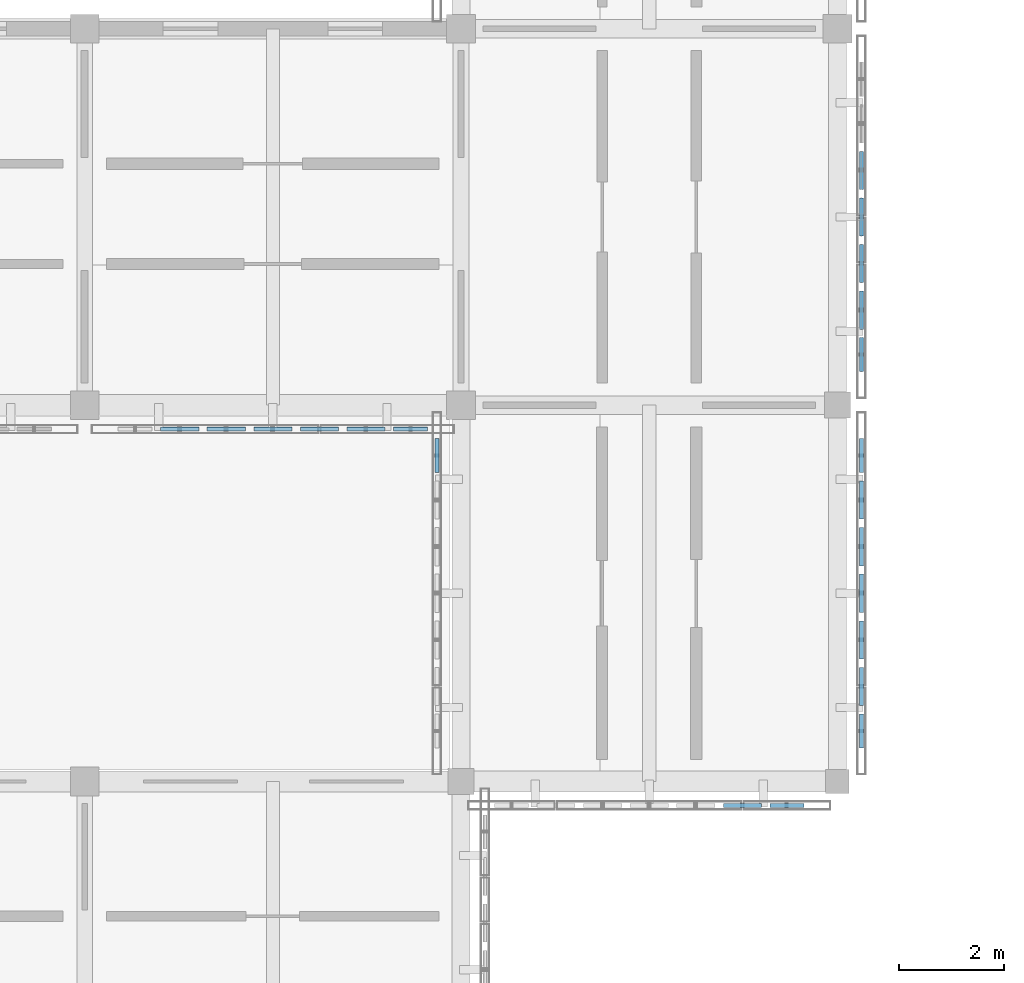
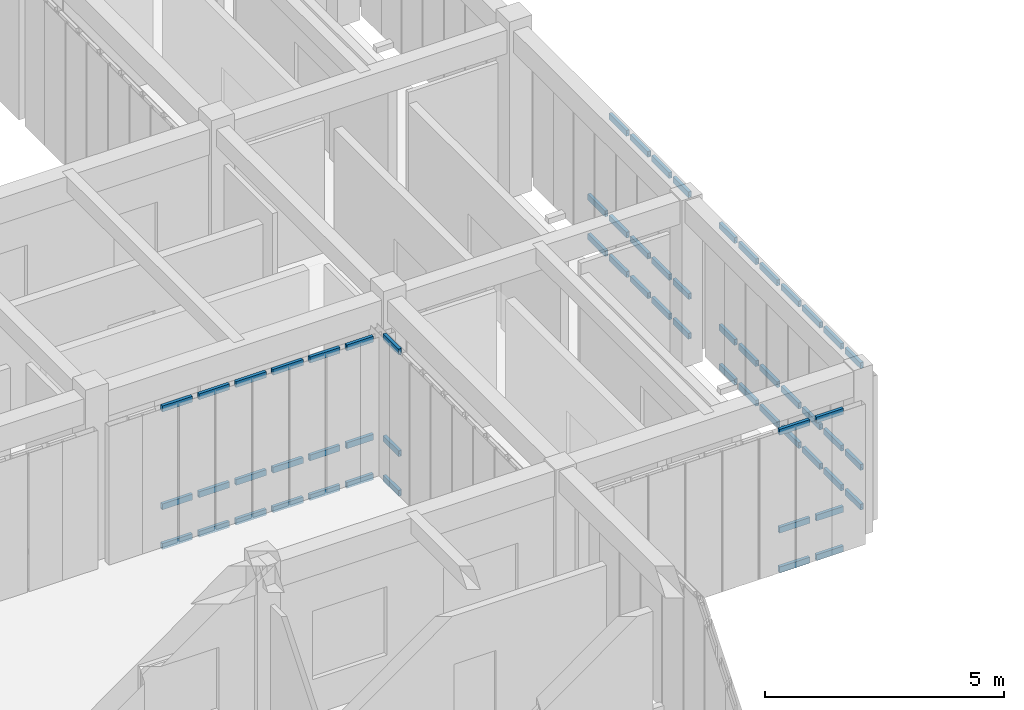
# One storey, part 24 of 91: 62 members, 5 elements without a shape of their own.
"""IFC4 building model written with IfcOpenShell, lengths in metres."""

from ifc_helpers import new_model, si_unit, direction, frame, origin, origin_2d, place, context, subcontext, project, spatial, hollow_rectangle, extrude, material, material_profile, profile_set, type_object, element, aggregate, save


model = new_model("IFC4")

# Units and contexts
model_context = context("Model", 3, precision=1e-05, world=origin(), true_north=direction((0.0, 1.0)))
body_context = subcontext(model_context, "Body", "Model", "MODEL_VIEW")
ifc_project = project(units=[si_unit("LENGTHUNIT", "METRE"), si_unit("AREAUNIT", "SQUARE_METRE"), si_unit("VOLUMEUNIT", "CUBIC_METRE"), si_unit("PLANEANGLEUNIT", "RADIAN"), si_unit("MASSUNIT", "GRAM", prefix="KILO")], contexts=[model_context])

# Site, building, storey
site_placement = place(None, origin())
site = spatial("IfcSite", under=ifc_project, at=site_placement, CompositionType="ELEMENT")
building_placement = place(site_placement, origin())
building = spatial("IfcBuilding", under=site, at=building_placement, Name="Aldebral Square Health Centre", CompositionType="ELEMENT")
storey_placement = place(building_placement, frame((0.0, 0.0, 9.0)))
storey = spatial("IfcBuildingStorey", under=building, at=storey_placement, Name="L02", CompositionType="ELEMENT", Elevation=9.0)

# Curtain wall, members
ifc_material_1 = material(Name="Aluminium and low-E solar glass", Category="aluminium")
curtain_wall_type = type_object("IfcCurtainWallType", Name="CW-FIN-SYS", PredefinedType="USERDEFINED", material=ifc_material_1)
curtain_wall_1_placement = place(storey_placement, origin())
curtain_wall_1 = element("IfcCurtainWall", 1, at=curtain_wall_1_placement, inside=storey, type_object=curtain_wall_type, Name="L02 V4 finned curtain wall L02-V4-02-08-S", ObjectType="SOLAR_CURTAIN_WALL", PredefinedType="USERDEFINED")
ifc_material_2 = material(Name="Anodised aluminium transom", Category="aluminium")
ifc_material_profile = material_profile(ifc_material_2, hollow_rectangle(XDim=0.074951171875, YDim=0.14990234375, WallThickness=0.00390625, at=origin_2d()), Name="CWT 75x150x4")
ifc_profile_set = profile_set([ifc_material_profile], Name="Anodised aluminium transom")
member_type = type_object("IfcMemberType", Name="CWT-STD", PredefinedType="USERDEFINED", material=ifc_profile_set)
member_1_placement = place(storey_placement, frame((15.851318359375, 57.139892578125, 0.03759765625), z_axis=(1.0, 0.0, 0.0), x_axis=(0.0, 1.0, 0.0)))
member_1 = element("IfcMember", 2, at=member_1_placement, type_object=member_type, Name="CW1 transom 2.1", ObjectType="TRANSOM", PredefinedType="USERDEFINED", context=body_context, shape_type="SweptSolid", body=[
    extrude(hollow_rectangle(XDim=0.074951171875, YDim=0.14990234375, WallThickness=0.00390625, at=origin_2d()), origin(), (0.0, 0.0, 1.0), 0.7314453125),
])
member_2_placement = place(storey_placement, frame((15.851318359375, 57.139892578125, 1.050048828125), z_axis=(1.0, 0.0, 0.0), x_axis=(0.0, 1.0, 0.0)))
member_2 = element("IfcMember", 3, at=member_2_placement, type_object=member_type, Name="CW1 transom 2.2", ObjectType="TRANSOM", PredefinedType="USERDEFINED", context=body_context, shape_type="SweptSolid", body=[
    extrude(hollow_rectangle(XDim=0.074951171875, YDim=0.14990234375, WallThickness=0.00390625, at=origin_2d()), origin(), (0.0, 0.0, 1.0), 0.7314453125),
])
member_3_placement = place(storey_placement, frame((15.851318359375, 57.139892578125, 3.552490234375), z_axis=(1.0, 0.0, 0.0), x_axis=(0.0, 1.0, 0.0)))
member_3 = element("IfcMember", 4, at=member_3_placement, type_object=member_type, Name="CW1 transom 2.3", ObjectType="TRANSOM", PredefinedType="USERDEFINED", context=body_context, shape_type="SweptSolid", body=[
    extrude(hollow_rectangle(XDim=0.074951171875, YDim=0.14990234375, WallThickness=0.00390625, at=origin_2d()), origin(), (0.0, 0.0, 1.0), 0.7314453125),
])
member_4_placement = place(storey_placement, frame((16.742919921875, 57.139892578125, 0.03759765625), z_axis=(1.0, 0.0, 0.0), x_axis=(0.0, 1.0, 0.0)))
member_4 = element("IfcMember", 5, at=member_4_placement, type_object=member_type, Name="CW1 transom 3.1", ObjectType="TRANSOM", PredefinedType="USERDEFINED", context=body_context, shape_type="SweptSolid", body=[
    extrude(hollow_rectangle(XDim=0.074951171875, YDim=0.14990234375, WallThickness=0.00390625, at=origin_2d()), origin(), (0.0, 0.0, 1.0), 0.7314453125),
])
member_5_placement = place(storey_placement, frame((16.742919921875, 57.139892578125, 1.050048828125), z_axis=(1.0, 0.0, 0.0), x_axis=(0.0, 1.0, 0.0)))
member_5 = element("IfcMember", 6, at=member_5_placement, type_object=member_type, Name="CW1 transom 3.2", ObjectType="TRANSOM", PredefinedType="USERDEFINED", context=body_context, shape_type="SweptSolid", body=[
    extrude(hollow_rectangle(XDim=0.074951171875, YDim=0.14990234375, WallThickness=0.00390625, at=origin_2d()), origin(), (0.0, 0.0, 1.0), 0.7314453125),
])
member_6_placement = place(storey_placement, frame((16.742919921875, 57.139892578125, 3.552490234375), z_axis=(1.0, 0.0, 0.0), x_axis=(0.0, 1.0, 0.0)))
member_6 = element("IfcMember", 7, at=member_6_placement, type_object=member_type, Name="CW1 transom 3.3", ObjectType="TRANSOM", PredefinedType="USERDEFINED", context=body_context, shape_type="SweptSolid", body=[
    extrude(hollow_rectangle(XDim=0.074951171875, YDim=0.14990234375, WallThickness=0.00390625, at=origin_2d()), origin(), (0.0, 0.0, 1.0), 0.7314453125),
])
member_7_placement = place(storey_placement, frame((17.63427734375, 57.139892578125, 0.03759765625), z_axis=(1.0, 0.0, 0.0), x_axis=(0.0, 1.0, 0.0)))
member_7 = element("IfcMember", 8, at=member_7_placement, type_object=member_type, Name="CW1 transom 4.1", ObjectType="TRANSOM", PredefinedType="USERDEFINED", context=body_context, shape_type="SweptSolid", body=[
    extrude(hollow_rectangle(XDim=0.074951171875, YDim=0.14990234375, WallThickness=0.00390625, at=origin_2d()), origin(), (0.0, 0.0, 1.0), 0.7314453125),
])
member_8_placement = place(storey_placement, frame((17.63427734375, 57.139892578125, 1.050048828125), z_axis=(1.0, 0.0, 0.0), x_axis=(0.0, 1.0, 0.0)))
member_8 = element("IfcMember", 9, at=member_8_placement, type_object=member_type, Name="CW1 transom 4.2", ObjectType="TRANSOM", PredefinedType="USERDEFINED", context=body_context, shape_type="SweptSolid", body=[
    extrude(hollow_rectangle(XDim=0.074951171875, YDim=0.14990234375, WallThickness=0.00390625, at=origin_2d()), origin(), (0.0, 0.0, 1.0), 0.7314453125),
])
member_9_placement = place(storey_placement, frame((17.63427734375, 57.139892578125, 3.552490234375), z_axis=(1.0, 0.0, 0.0), x_axis=(0.0, 1.0, 0.0)))
member_9 = element("IfcMember", 10, at=member_9_placement, type_object=member_type, Name="CW1 transom 4.3", ObjectType="TRANSOM", PredefinedType="USERDEFINED", context=body_context, shape_type="SweptSolid", body=[
    extrude(hollow_rectangle(XDim=0.074951171875, YDim=0.14990234375, WallThickness=0.00390625, at=origin_2d()), origin(), (0.0, 0.0, 1.0), 0.7314453125),
])
member_10_placement = place(storey_placement, frame((18.525634765625, 57.139892578125, 0.03759765625), z_axis=(1.0, 0.0, 0.0), x_axis=(0.0, 1.0, 0.0)))
member_10 = element("IfcMember", 11, at=member_10_placement, type_object=member_type, Name="CW1 transom 5.1", ObjectType="TRANSOM", PredefinedType="USERDEFINED", context=body_context, shape_type="SweptSolid", body=[
    extrude(hollow_rectangle(XDim=0.074951171875, YDim=0.14990234375, WallThickness=0.00390625, at=origin_2d()), origin(), (0.0, 0.0, 1.0), 0.7314453125),
])
member_11_placement = place(storey_placement, frame((18.525634765625, 57.139892578125, 1.050048828125), z_axis=(1.0, 0.0, 0.0), x_axis=(0.0, 1.0, 0.0)))
member_11 = element("IfcMember", 12, at=member_11_placement, type_object=member_type, Name="CW1 transom 5.2", ObjectType="TRANSOM", PredefinedType="USERDEFINED", context=body_context, shape_type="SweptSolid", body=[
    extrude(hollow_rectangle(XDim=0.074951171875, YDim=0.14990234375, WallThickness=0.00390625, at=origin_2d()), origin(), (0.0, 0.0, 1.0), 0.7314453125),
])
member_12_placement = place(storey_placement, frame((18.525634765625, 57.139892578125, 3.552490234375), z_axis=(1.0, 0.0, 0.0), x_axis=(0.0, 1.0, 0.0)))
member_12 = element("IfcMember", 13, at=member_12_placement, type_object=member_type, Name="CW1 transom 5.3", ObjectType="TRANSOM", PredefinedType="USERDEFINED", context=body_context, shape_type="SweptSolid", body=[
    extrude(hollow_rectangle(XDim=0.074951171875, YDim=0.14990234375, WallThickness=0.00390625, at=origin_2d()), origin(), (0.0, 0.0, 1.0), 0.7314453125),
])
member_13_placement = place(storey_placement, frame((19.417236328125, 57.139892578125, 0.03759765625), z_axis=(1.0, 0.0, 0.0), x_axis=(0.0, 1.0, 0.0)))
member_13 = element("IfcMember", 14, at=member_13_placement, type_object=member_type, Name="CW1 transom 6.1", ObjectType="TRANSOM", PredefinedType="USERDEFINED", context=body_context, shape_type="SweptSolid", body=[
    extrude(hollow_rectangle(XDim=0.074951171875, YDim=0.14990234375, WallThickness=0.00390625, at=origin_2d()), origin(), (0.0, 0.0, 1.0), 0.7314453125),
])
member_14_placement = place(storey_placement, frame((19.417236328125, 57.139892578125, 1.050048828125), z_axis=(1.0, 0.0, 0.0), x_axis=(0.0, 1.0, 0.0)))
member_14 = element("IfcMember", 15, at=member_14_placement, type_object=member_type, Name="CW1 transom 6.2", ObjectType="TRANSOM", PredefinedType="USERDEFINED", context=body_context, shape_type="SweptSolid", body=[
    extrude(hollow_rectangle(XDim=0.074951171875, YDim=0.14990234375, WallThickness=0.00390625, at=origin_2d()), origin(), (0.0, 0.0, 1.0), 0.7314453125),
])
member_15_placement = place(storey_placement, frame((19.417236328125, 57.139892578125, 3.552490234375), z_axis=(1.0, 0.0, 0.0), x_axis=(0.0, 1.0, 0.0)))
member_15 = element("IfcMember", 16, at=member_15_placement, type_object=member_type, Name="CW1 transom 6.3", ObjectType="TRANSOM", PredefinedType="USERDEFINED", context=body_context, shape_type="SweptSolid", body=[
    extrude(hollow_rectangle(XDim=0.074951171875, YDim=0.14990234375, WallThickness=0.00390625, at=origin_2d()), origin(), (0.0, 0.0, 1.0), 0.7314453125),
])
member_16_placement = place(storey_placement, frame((20.30859375, 57.139892578125, 0.03759765625), z_axis=(1.0, 0.0, 0.0), x_axis=(0.0, 1.0, 0.0)))
member_16 = element("IfcMember", 17, at=member_16_placement, type_object=member_type, Name="CW1 transom 7.1", ObjectType="TRANSOM", PredefinedType="USERDEFINED", context=body_context, shape_type="SweptSolid", body=[
    extrude(hollow_rectangle(XDim=0.074951171875, YDim=0.14990234375, WallThickness=0.00390625, at=origin_2d()), origin(), (0.0, 0.0, 1.0), 0.6513671875),
])
member_17_placement = place(storey_placement, frame((20.30859375, 57.139892578125, 1.050048828125), z_axis=(1.0, 0.0, 0.0), x_axis=(0.0, 1.0, 0.0)))
member_17 = element("IfcMember", 18, at=member_17_placement, type_object=member_type, Name="CW1 transom 7.2", ObjectType="TRANSOM", PredefinedType="USERDEFINED", context=body_context, shape_type="SweptSolid", body=[
    extrude(hollow_rectangle(XDim=0.074951171875, YDim=0.14990234375, WallThickness=0.00390625, at=origin_2d()), origin(), (0.0, 0.0, 1.0), 0.6513671875),
])
member_18_placement = place(storey_placement, frame((20.30859375, 57.139892578125, 3.552490234375), z_axis=(1.0, 0.0, 0.0), x_axis=(0.0, 1.0, 0.0)))
member_18 = element("IfcMember", 19, at=member_18_placement, type_object=member_type, Name="CW1 transom 7.3", ObjectType="TRANSOM", PredefinedType="USERDEFINED", context=body_context, shape_type="SweptSolid", body=[
    extrude(hollow_rectangle(XDim=0.074951171875, YDim=0.14990234375, WallThickness=0.00390625, at=origin_2d()), origin(), (0.0, 0.0, 1.0), 0.6513671875),
])
aggregate(curtain_wall_1, [member_1, member_2, member_3, member_4, member_5, member_6, member_7, member_8, member_9, member_10, member_11, member_12, member_13, member_14, member_15, member_16, member_17, member_18])

curtain_wall_2_placement = place(storey_placement, origin())
curtain_wall_2 = element("IfcCurtainWall", 20, at=curtain_wall_2_placement, inside=storey, type_object=curtain_wall_type, Name="L02 V4 finned curtain wall L02-V4-03-07-S", ObjectType="SOLAR_CURTAIN_WALL", PredefinedType="USERDEFINED")
member_19_placement = place(storey_placement, frame((26.6171875, 49.93994140625, 0.03759765625), z_axis=(1.0, 0.0, 0.0), x_axis=(0.0, 1.0, 0.0)))
member_19 = element("IfcMember", 21, at=member_19_placement, type_object=member_type, Name="CW1 transom 6.1", ObjectType="TRANSOM", PredefinedType="USERDEFINED", context=body_context, shape_type="SweptSolid", body=[
    extrude(hollow_rectangle(XDim=0.074951171875, YDim=0.14990234375, WallThickness=0.00390625, at=origin_2d()), origin(), (0.0, 0.0, 1.0), 0.7314453125),
])
member_20_placement = place(storey_placement, frame((26.6171875, 49.93994140625, 1.050048828125), z_axis=(1.0, 0.0, 0.0), x_axis=(0.0, 1.0, 0.0)))
member_20 = element("IfcMember", 22, at=member_20_placement, type_object=member_type, Name="CW1 transom 6.2", ObjectType="TRANSOM", PredefinedType="USERDEFINED", context=body_context, shape_type="SweptSolid", body=[
    extrude(hollow_rectangle(XDim=0.074951171875, YDim=0.14990234375, WallThickness=0.00390625, at=origin_2d()), origin(), (0.0, 0.0, 1.0), 0.7314453125),
])
member_21_placement = place(storey_placement, frame((26.6171875, 49.93994140625, 3.552490234375), z_axis=(1.0, 0.0, 0.0), x_axis=(0.0, 1.0, 0.0)))
member_21 = element("IfcMember", 23, at=member_21_placement, type_object=member_type, Name="CW1 transom 6.3", ObjectType="TRANSOM", PredefinedType="USERDEFINED", context=body_context, shape_type="SweptSolid", body=[
    extrude(hollow_rectangle(XDim=0.074951171875, YDim=0.14990234375, WallThickness=0.00390625, at=origin_2d()), origin(), (0.0, 0.0, 1.0), 0.7314453125),
])
member_22_placement = place(storey_placement, frame((27.508544921875, 49.93994140625, 0.03759765625), z_axis=(1.0, 0.0, 0.0), x_axis=(0.0, 1.0, 0.0)))
member_22 = element("IfcMember", 24, at=member_22_placement, type_object=member_type, Name="CW1 transom 7.1", ObjectType="TRANSOM", PredefinedType="USERDEFINED", context=body_context, shape_type="SweptSolid", body=[
    extrude(hollow_rectangle(XDim=0.074951171875, YDim=0.14990234375, WallThickness=0.00390625, at=origin_2d()), origin(), (0.0, 0.0, 1.0), 0.6513671875),
])
member_23_placement = place(storey_placement, frame((27.508544921875, 49.93994140625, 1.050048828125), z_axis=(1.0, 0.0, 0.0), x_axis=(0.0, 1.0, 0.0)))
member_23 = element("IfcMember", 25, at=member_23_placement, type_object=member_type, Name="CW1 transom 7.2", ObjectType="TRANSOM", PredefinedType="USERDEFINED", context=body_context, shape_type="SweptSolid", body=[
    extrude(hollow_rectangle(XDim=0.074951171875, YDim=0.14990234375, WallThickness=0.00390625, at=origin_2d()), origin(), (0.0, 0.0, 1.0), 0.6513671875),
])
member_24_placement = place(storey_placement, frame((27.508544921875, 49.93994140625, 3.552490234375), z_axis=(1.0, 0.0, 0.0), x_axis=(0.0, 1.0, 0.0)))
member_24 = element("IfcMember", 26, at=member_24_placement, type_object=member_type, Name="CW1 transom 7.3", ObjectType="TRANSOM", PredefinedType="USERDEFINED", context=body_context, shape_type="SweptSolid", body=[
    extrude(hollow_rectangle(XDim=0.074951171875, YDim=0.14990234375, WallThickness=0.00390625, at=origin_2d()), origin(), (0.0, 0.0, 1.0), 0.6513671875),
])
aggregate(curtain_wall_2, [member_19, member_20, member_21, member_22, member_23, member_24])

curtain_wall_3_placement = place(storey_placement, origin())
curtain_wall_3 = element("IfcCurtainWall", 27, at=curtain_wall_3_placement, inside=storey, type_object=curtain_wall_type, Name="L02 V4 finned curtain wall L02-V4-03-07-W", ObjectType="SOLAR_CURTAIN_WALL", PredefinedType="USERDEFINED")
member_25_placement = place(storey_placement, frame((21.139892578125, 56.9599609375, 0.03759765625), z_axis=(0.0, -1.0, 0.0), x_axis=(1.0, 0.0, 0.0)))
member_25 = element("IfcMember", 28, at=member_25_placement, type_object=member_type, Name="CW1 transom 1.1", ObjectType="TRANSOM", PredefinedType="USERDEFINED", context=body_context, shape_type="SweptSolid", body=[
    extrude(hollow_rectangle(XDim=0.074951171875, YDim=0.14990234375, WallThickness=0.00390625, at=origin_2d()), origin(), (0.0, 0.0, 1.0), 0.6513671875),
])
member_26_placement = place(storey_placement, frame((21.139892578125, 56.9599609375, 1.050048828125), z_axis=(0.0, -1.0, 0.0), x_axis=(1.0, 0.0, 0.0)))
member_26 = element("IfcMember", 29, at=member_26_placement, type_object=member_type, Name="CW1 transom 1.2", ObjectType="TRANSOM", PredefinedType="USERDEFINED", context=body_context, shape_type="SweptSolid", body=[
    extrude(hollow_rectangle(XDim=0.074951171875, YDim=0.14990234375, WallThickness=0.00390625, at=origin_2d()), origin(), (0.0, 0.0, 1.0), 0.6513671875),
])
member_27_placement = place(storey_placement, frame((21.139892578125, 56.9599609375, 3.652587890625), z_axis=(0.0, -1.0, 0.0), x_axis=(1.0, 0.0, 0.0)))
member_27 = element("IfcMember", 30, at=member_27_placement, type_object=member_type, Name="CW1 transom 1.3", ObjectType="TRANSOM", PredefinedType="USERDEFINED", context=body_context, shape_type="SweptSolid", body=[
    extrude(hollow_rectangle(XDim=0.074951171875, YDim=0.14990234375, WallThickness=0.00390625, at=origin_2d()), origin(), (0.0, 0.0, 1.0), 0.6513671875),
])
aggregate(curtain_wall_3, [member_25, member_26, member_27])

curtain_wall_4_placement = place(storey_placement, origin())
curtain_wall_4 = element("IfcCurtainWall", 31, at=curtain_wall_4_placement, inside=storey, type_object=curtain_wall_type, Name="L02 V4 finned curtain wall L02-V4-03-07-E", ObjectType="SOLAR_CURTAIN_WALL", PredefinedType="USERDEFINED")
member_28_placement = place(storey_placement, frame((29.260009765625, 51.0400390625, 0.03759765625), z_axis=(0.0, 1.0, 0.0), x_axis=(-1.0, 0.0, 0.0)))
member_28 = element("IfcMember", 32, at=member_28_placement, type_object=member_type, Name="CW1 transom 1.1", ObjectType="TRANSOM", PredefinedType="USERDEFINED", context=body_context, shape_type="SweptSolid", body=[
    extrude(hollow_rectangle(XDim=0.074951171875, YDim=0.14990234375, WallThickness=0.00390625, at=origin_2d()), origin(), (0.0, 0.0, 1.0), 0.6513671875),
])
member_29_placement = place(storey_placement, frame((29.260009765625, 51.0400390625, 1.050048828125), z_axis=(0.0, 1.0, 0.0), x_axis=(-1.0, 0.0, 0.0)))
member_29 = element("IfcMember", 33, at=member_29_placement, type_object=member_type, Name="CW1 transom 1.2", ObjectType="TRANSOM", PredefinedType="USERDEFINED", context=body_context, shape_type="SweptSolid", body=[
    extrude(hollow_rectangle(XDim=0.074951171875, YDim=0.14990234375, WallThickness=0.00390625, at=origin_2d()), origin(), (0.0, 0.0, 1.0), 0.6513671875),
])
member_30_placement = place(storey_placement, frame((29.260009765625, 51.0400390625, 3.652587890625), z_axis=(0.0, 1.0, 0.0), x_axis=(-1.0, 0.0, 0.0)))
member_30 = element("IfcMember", 34, at=member_30_placement, type_object=member_type, Name="CW1 transom 1.3", ObjectType="TRANSOM", PredefinedType="USERDEFINED", context=body_context, shape_type="SweptSolid", body=[
    extrude(hollow_rectangle(XDim=0.074951171875, YDim=0.14990234375, WallThickness=0.00390625, at=origin_2d()), origin(), (0.0, 0.0, 1.0), 0.6513671875),
])
member_31_placement = place(storey_placement, frame((29.260009765625, 51.851318359375, 0.03759765625), z_axis=(0.0, 1.0, 0.0), x_axis=(-1.0, 0.0, 0.0)))
member_31 = element("IfcMember", 35, at=member_31_placement, type_object=member_type, Name="CW1 transom 2.1", ObjectType="TRANSOM", PredefinedType="USERDEFINED", context=body_context, shape_type="SweptSolid", body=[
    extrude(hollow_rectangle(XDim=0.074951171875, YDim=0.14990234375, WallThickness=0.00390625, at=origin_2d()), origin(), (0.0, 0.0, 1.0), 0.7314453125),
])
member_32_placement = place(storey_placement, frame((29.260009765625, 51.851318359375, 1.050048828125), z_axis=(0.0, 1.0, 0.0), x_axis=(-1.0, 0.0, 0.0)))
member_32 = element("IfcMember", 36, at=member_32_placement, type_object=member_type, Name="CW1 transom 2.2", ObjectType="TRANSOM", PredefinedType="USERDEFINED", context=body_context, shape_type="SweptSolid", body=[
    extrude(hollow_rectangle(XDim=0.074951171875, YDim=0.14990234375, WallThickness=0.00390625, at=origin_2d()), origin(), (0.0, 0.0, 1.0), 0.7314453125),
])
member_33_placement = place(storey_placement, frame((29.260009765625, 51.851318359375, 3.652587890625), z_axis=(0.0, 1.0, 0.0), x_axis=(-1.0, 0.0, 0.0)))
member_33 = element("IfcMember", 37, at=member_33_placement, type_object=member_type, Name="CW1 transom 2.3", ObjectType="TRANSOM", PredefinedType="USERDEFINED", context=body_context, shape_type="SweptSolid", body=[
    extrude(hollow_rectangle(XDim=0.074951171875, YDim=0.14990234375, WallThickness=0.00390625, at=origin_2d()), origin(), (0.0, 0.0, 1.0), 0.7314453125),
])
member_34_placement = place(storey_placement, frame((29.260009765625, 52.742919921875, 0.03759765625), z_axis=(0.0, 1.0, 0.0), x_axis=(-1.0, 0.0, 0.0)))
member_34 = element("IfcMember", 38, at=member_34_placement, type_object=member_type, Name="CW1 transom 3.1", ObjectType="TRANSOM", PredefinedType="USERDEFINED", context=body_context, shape_type="SweptSolid", body=[
    extrude(hollow_rectangle(XDim=0.074951171875, YDim=0.14990234375, WallThickness=0.00390625, at=origin_2d()), origin(), (0.0, 0.0, 1.0), 0.7314453125),
])
member_35_placement = place(storey_placement, frame((29.260009765625, 52.742919921875, 1.050048828125), z_axis=(0.0, 1.0, 0.0), x_axis=(-1.0, 0.0, 0.0)))
member_35 = element("IfcMember", 39, at=member_35_placement, type_object=member_type, Name="CW1 transom 3.2", ObjectType="TRANSOM", PredefinedType="USERDEFINED", context=body_context, shape_type="SweptSolid", body=[
    extrude(hollow_rectangle(XDim=0.074951171875, YDim=0.14990234375, WallThickness=0.00390625, at=origin_2d()), origin(), (0.0, 0.0, 1.0), 0.7314453125),
])
member_36_placement = place(storey_placement, frame((29.260009765625, 52.742919921875, 3.652587890625), z_axis=(0.0, 1.0, 0.0), x_axis=(-1.0, 0.0, 0.0)))
member_36 = element("IfcMember", 40, at=member_36_placement, type_object=member_type, Name="CW1 transom 3.3", ObjectType="TRANSOM", PredefinedType="USERDEFINED", context=body_context, shape_type="SweptSolid", body=[
    extrude(hollow_rectangle(XDim=0.074951171875, YDim=0.14990234375, WallThickness=0.00390625, at=origin_2d()), origin(), (0.0, 0.0, 1.0), 0.7314453125),
])
member_37_placement = place(storey_placement, frame((29.260009765625, 53.63427734375, 0.03759765625), z_axis=(0.0, 1.0, 0.0), x_axis=(-1.0, 0.0, 0.0)))
member_37 = element("IfcMember", 41, at=member_37_placement, type_object=member_type, Name="CW1 transom 4.1", ObjectType="TRANSOM", PredefinedType="USERDEFINED", context=body_context, shape_type="SweptSolid", body=[
    extrude(hollow_rectangle(XDim=0.074951171875, YDim=0.14990234375, WallThickness=0.00390625, at=origin_2d()), origin(), (0.0, 0.0, 1.0), 0.7314453125),
])
member_38_placement = place(storey_placement, frame((29.260009765625, 53.63427734375, 1.050048828125), z_axis=(0.0, 1.0, 0.0), x_axis=(-1.0, 0.0, 0.0)))
member_38 = element("IfcMember", 42, at=member_38_placement, type_object=member_type, Name="CW1 transom 4.2", ObjectType="TRANSOM", PredefinedType="USERDEFINED", context=body_context, shape_type="SweptSolid", body=[
    extrude(hollow_rectangle(XDim=0.074951171875, YDim=0.14990234375, WallThickness=0.00390625, at=origin_2d()), origin(), (0.0, 0.0, 1.0), 0.7314453125),
])
member_39_placement = place(storey_placement, frame((29.260009765625, 53.63427734375, 3.652587890625), z_axis=(0.0, 1.0, 0.0), x_axis=(-1.0, 0.0, 0.0)))
member_39 = element("IfcMember", 43, at=member_39_placement, type_object=member_type, Name="CW1 transom 4.3", ObjectType="TRANSOM", PredefinedType="USERDEFINED", context=body_context, shape_type="SweptSolid", body=[
    extrude(hollow_rectangle(XDim=0.074951171875, YDim=0.14990234375, WallThickness=0.00390625, at=origin_2d()), origin(), (0.0, 0.0, 1.0), 0.7314453125),
])
member_40_placement = place(storey_placement, frame((29.260009765625, 54.525634765625, 0.03759765625), z_axis=(0.0, 1.0, 0.0), x_axis=(-1.0, 0.0, 0.0)))
member_40 = element("IfcMember", 44, at=member_40_placement, type_object=member_type, Name="CW1 transom 5.1", ObjectType="TRANSOM", PredefinedType="USERDEFINED", context=body_context, shape_type="SweptSolid", body=[
    extrude(hollow_rectangle(XDim=0.074951171875, YDim=0.14990234375, WallThickness=0.00390625, at=origin_2d()), origin(), (0.0, 0.0, 1.0), 0.7314453125),
])
member_41_placement = place(storey_placement, frame((29.260009765625, 54.525634765625, 1.050048828125), z_axis=(0.0, 1.0, 0.0), x_axis=(-1.0, 0.0, 0.0)))
member_41 = element("IfcMember", 45, at=member_41_placement, type_object=member_type, Name="CW1 transom 5.2", ObjectType="TRANSOM", PredefinedType="USERDEFINED", context=body_context, shape_type="SweptSolid", body=[
    extrude(hollow_rectangle(XDim=0.074951171875, YDim=0.14990234375, WallThickness=0.00390625, at=origin_2d()), origin(), (0.0, 0.0, 1.0), 0.7314453125),
])
member_42_placement = place(storey_placement, frame((29.260009765625, 54.525634765625, 3.652587890625), z_axis=(0.0, 1.0, 0.0), x_axis=(-1.0, 0.0, 0.0)))
member_42 = element("IfcMember", 46, at=member_42_placement, type_object=member_type, Name="CW1 transom 5.3", ObjectType="TRANSOM", PredefinedType="USERDEFINED", context=body_context, shape_type="SweptSolid", body=[
    extrude(hollow_rectangle(XDim=0.074951171875, YDim=0.14990234375, WallThickness=0.00390625, at=origin_2d()), origin(), (0.0, 0.0, 1.0), 0.7314453125),
])
member_43_placement = place(storey_placement, frame((29.260009765625, 55.417236328125, 0.03759765625), z_axis=(0.0, 1.0, 0.0), x_axis=(-1.0, 0.0, 0.0)))
member_43 = element("IfcMember", 47, at=member_43_placement, type_object=member_type, Name="CW1 transom 6.1", ObjectType="TRANSOM", PredefinedType="USERDEFINED", context=body_context, shape_type="SweptSolid", body=[
    extrude(hollow_rectangle(XDim=0.074951171875, YDim=0.14990234375, WallThickness=0.00390625, at=origin_2d()), origin(), (0.0, 0.0, 1.0), 0.7314453125),
])
member_44_placement = place(storey_placement, frame((29.260009765625, 55.417236328125, 1.050048828125), z_axis=(0.0, 1.0, 0.0), x_axis=(-1.0, 0.0, 0.0)))
member_44 = element("IfcMember", 48, at=member_44_placement, type_object=member_type, Name="CW1 transom 6.2", ObjectType="TRANSOM", PredefinedType="USERDEFINED", context=body_context, shape_type="SweptSolid", body=[
    extrude(hollow_rectangle(XDim=0.074951171875, YDim=0.14990234375, WallThickness=0.00390625, at=origin_2d()), origin(), (0.0, 0.0, 1.0), 0.7314453125),
])
member_45_placement = place(storey_placement, frame((29.260009765625, 55.417236328125, 3.652587890625), z_axis=(0.0, 1.0, 0.0), x_axis=(-1.0, 0.0, 0.0)))
member_45 = element("IfcMember", 49, at=member_45_placement, type_object=member_type, Name="CW1 transom 6.3", ObjectType="TRANSOM", PredefinedType="USERDEFINED", context=body_context, shape_type="SweptSolid", body=[
    extrude(hollow_rectangle(XDim=0.074951171875, YDim=0.14990234375, WallThickness=0.00390625, at=origin_2d()), origin(), (0.0, 0.0, 1.0), 0.7314453125),
])
member_46_placement = place(storey_placement, frame((29.260009765625, 56.30859375, 0.03759765625), z_axis=(0.0, 1.0, 0.0), x_axis=(-1.0, 0.0, 0.0)))
member_46 = element("IfcMember", 50, at=member_46_placement, type_object=member_type, Name="CW1 transom 7.1", ObjectType="TRANSOM", PredefinedType="USERDEFINED", context=body_context, shape_type="SweptSolid", body=[
    extrude(hollow_rectangle(XDim=0.074951171875, YDim=0.14990234375, WallThickness=0.00390625, at=origin_2d()), origin(), (0.0, 0.0, 1.0), 0.6513671875),
])
member_47_placement = place(storey_placement, frame((29.260009765625, 56.30859375, 1.050048828125), z_axis=(0.0, 1.0, 0.0), x_axis=(-1.0, 0.0, 0.0)))
member_47 = element("IfcMember", 51, at=member_47_placement, type_object=member_type, Name="CW1 transom 7.2", ObjectType="TRANSOM", PredefinedType="USERDEFINED", context=body_context, shape_type="SweptSolid", body=[
    extrude(hollow_rectangle(XDim=0.074951171875, YDim=0.14990234375, WallThickness=0.00390625, at=origin_2d()), origin(), (0.0, 0.0, 1.0), 0.6513671875),
])
member_48_placement = place(storey_placement, frame((29.260009765625, 56.30859375, 3.652587890625), z_axis=(0.0, 1.0, 0.0), x_axis=(-1.0, 0.0, 0.0)))
member_48 = element("IfcMember", 52, at=member_48_placement, type_object=member_type, Name="CW1 transom 7.3", ObjectType="TRANSOM", PredefinedType="USERDEFINED", context=body_context, shape_type="SweptSolid", body=[
    extrude(hollow_rectangle(XDim=0.074951171875, YDim=0.14990234375, WallThickness=0.00390625, at=origin_2d()), origin(), (0.0, 0.0, 1.0), 0.6513671875),
])
aggregate(curtain_wall_4, [member_28, member_29, member_30, member_31, member_32, member_33, member_34, member_35, member_36, member_37, member_38, member_39, member_40, member_41, member_42, member_43, member_44, member_45, member_46, member_47, member_48])

curtain_wall_5_placement = place(storey_placement, origin())
curtain_wall_5 = element("IfcCurtainWall", 53, at=curtain_wall_5_placement, inside=storey, type_object=curtain_wall_type, Name="L02 V4 finned curtain wall L02-V4-03-08-E", ObjectType="SOLAR_CURTAIN_WALL", PredefinedType="USERDEFINED")
member_49_placement = place(storey_placement, frame((29.260009765625, 58.239990234375, 0.03759765625), z_axis=(0.0, 1.0, 0.0), x_axis=(-1.0, 0.0, 0.0)))
member_49 = element("IfcMember", 54, at=member_49_placement, type_object=member_type, Name="CW1 transom 1.1", ObjectType="TRANSOM", PredefinedType="USERDEFINED", context=body_context, shape_type="SweptSolid", body=[
    extrude(hollow_rectangle(XDim=0.074951171875, YDim=0.14990234375, WallThickness=0.00390625, at=origin_2d()), origin(), (0.0, 0.0, 1.0), 0.6513671875),
])
member_50_placement = place(storey_placement, frame((29.260009765625, 58.239990234375, 1.050048828125), z_axis=(0.0, 1.0, 0.0), x_axis=(-1.0, 0.0, 0.0)))
member_50 = element("IfcMember", 55, at=member_50_placement, type_object=member_type, Name="CW1 transom 1.2", ObjectType="TRANSOM", PredefinedType="USERDEFINED", context=body_context, shape_type="SweptSolid", body=[
    extrude(hollow_rectangle(XDim=0.074951171875, YDim=0.14990234375, WallThickness=0.00390625, at=origin_2d()), origin(), (0.0, 0.0, 1.0), 0.6513671875),
])
member_51_placement = place(storey_placement, frame((29.260009765625, 58.239990234375, 3.652587890625), z_axis=(0.0, 1.0, 0.0), x_axis=(-1.0, 0.0, 0.0)))
member_51 = element("IfcMember", 56, at=member_51_placement, type_object=member_type, Name="CW1 transom 1.3", ObjectType="TRANSOM", PredefinedType="USERDEFINED", context=body_context, shape_type="SweptSolid", body=[
    extrude(hollow_rectangle(XDim=0.074951171875, YDim=0.14990234375, WallThickness=0.00390625, at=origin_2d()), origin(), (0.0, 0.0, 1.0), 0.6513671875),
])
member_52_placement = place(storey_placement, frame((29.260009765625, 59.051513671875, 0.03759765625), z_axis=(0.0, 1.0, 0.0), x_axis=(-1.0, 0.0, 0.0)))
member_52 = element("IfcMember", 57, at=member_52_placement, type_object=member_type, Name="CW1 transom 2.1", ObjectType="TRANSOM", PredefinedType="USERDEFINED", context=body_context, shape_type="SweptSolid", body=[
    extrude(hollow_rectangle(XDim=0.074951171875, YDim=0.14990234375, WallThickness=0.00390625, at=origin_2d()), origin(), (0.0, 0.0, 1.0), 0.7314453125),
])
member_53_placement = place(storey_placement, frame((29.260009765625, 59.051513671875, 1.050048828125), z_axis=(0.0, 1.0, 0.0), x_axis=(-1.0, 0.0, 0.0)))
member_53 = element("IfcMember", 58, at=member_53_placement, type_object=member_type, Name="CW1 transom 2.2", ObjectType="TRANSOM", PredefinedType="USERDEFINED", context=body_context, shape_type="SweptSolid", body=[
    extrude(hollow_rectangle(XDim=0.074951171875, YDim=0.14990234375, WallThickness=0.00390625, at=origin_2d()), origin(), (0.0, 0.0, 1.0), 0.7314453125),
])
member_54_placement = place(storey_placement, frame((29.260009765625, 59.051513671875, 3.652587890625), z_axis=(0.0, 1.0, 0.0), x_axis=(-1.0, 0.0, 0.0)))
member_54 = element("IfcMember", 59, at=member_54_placement, type_object=member_type, Name="CW1 transom 2.3", ObjectType="TRANSOM", PredefinedType="USERDEFINED", context=body_context, shape_type="SweptSolid", body=[
    extrude(hollow_rectangle(XDim=0.074951171875, YDim=0.14990234375, WallThickness=0.00390625, at=origin_2d()), origin(), (0.0, 0.0, 1.0), 0.7314453125),
])
member_55_placement = place(storey_placement, frame((29.260009765625, 59.94287109375, 0.03759765625), z_axis=(0.0, 1.0, 0.0), x_axis=(-1.0, 0.0, 0.0)))
member_55 = element("IfcMember", 60, at=member_55_placement, type_object=member_type, Name="CW1 transom 3.1", ObjectType="TRANSOM", PredefinedType="USERDEFINED", context=body_context, shape_type="SweptSolid", body=[
    extrude(hollow_rectangle(XDim=0.074951171875, YDim=0.14990234375, WallThickness=0.00390625, at=origin_2d()), origin(), (0.0, 0.0, 1.0), 0.7314453125),
])
member_56_placement = place(storey_placement, frame((29.260009765625, 59.94287109375, 1.050048828125), z_axis=(0.0, 1.0, 0.0), x_axis=(-1.0, 0.0, 0.0)))
member_56 = element("IfcMember", 61, at=member_56_placement, type_object=member_type, Name="CW1 transom 3.2", ObjectType="TRANSOM", PredefinedType="USERDEFINED", context=body_context, shape_type="SweptSolid", body=[
    extrude(hollow_rectangle(XDim=0.074951171875, YDim=0.14990234375, WallThickness=0.00390625, at=origin_2d()), origin(), (0.0, 0.0, 1.0), 0.7314453125),
])
member_57_placement = place(storey_placement, frame((29.260009765625, 59.94287109375, 3.652587890625), z_axis=(0.0, 1.0, 0.0), x_axis=(-1.0, 0.0, 0.0)))
member_57 = element("IfcMember", 62, at=member_57_placement, type_object=member_type, Name="CW1 transom 3.3", ObjectType="TRANSOM", PredefinedType="USERDEFINED", context=body_context, shape_type="SweptSolid", body=[
    extrude(hollow_rectangle(XDim=0.074951171875, YDim=0.14990234375, WallThickness=0.00390625, at=origin_2d()), origin(), (0.0, 0.0, 1.0), 0.7314453125),
])
member_58_placement = place(storey_placement, frame((29.260009765625, 60.834228515625, 0.03759765625), z_axis=(0.0, 1.0, 0.0), x_axis=(-1.0, 0.0, 0.0)))
member_58 = element("IfcMember", 63, at=member_58_placement, type_object=member_type, Name="CW1 transom 4.1", ObjectType="TRANSOM", PredefinedType="USERDEFINED", context=body_context, shape_type="SweptSolid", body=[
    extrude(hollow_rectangle(XDim=0.074951171875, YDim=0.14990234375, WallThickness=0.00390625, at=origin_2d()), origin(), (0.0, 0.0, 1.0), 0.7314453125),
])
member_59_placement = place(storey_placement, frame((29.260009765625, 60.834228515625, 1.050048828125), z_axis=(0.0, 1.0, 0.0), x_axis=(-1.0, 0.0, 0.0)))
member_59 = element("IfcMember", 64, at=member_59_placement, type_object=member_type, Name="CW1 transom 4.2", ObjectType="TRANSOM", PredefinedType="USERDEFINED", context=body_context, shape_type="SweptSolid", body=[
    extrude(hollow_rectangle(XDim=0.074951171875, YDim=0.14990234375, WallThickness=0.00390625, at=origin_2d()), origin(), (0.0, 0.0, 1.0), 0.7314453125),
])
member_60_placement = place(storey_placement, frame((29.260009765625, 60.834228515625, 3.652587890625), z_axis=(0.0, 1.0, 0.0), x_axis=(-1.0, 0.0, 0.0)))
member_60 = element("IfcMember", 65, at=member_60_placement, type_object=member_type, Name="CW1 transom 4.3", ObjectType="TRANSOM", PredefinedType="USERDEFINED", context=body_context, shape_type="SweptSolid", body=[
    extrude(hollow_rectangle(XDim=0.074951171875, YDim=0.14990234375, WallThickness=0.00390625, at=origin_2d()), origin(), (0.0, 0.0, 1.0), 0.7314453125),
])
member_61_placement = place(storey_placement, frame((29.260009765625, 61.725830078125, 0.03759765625), z_axis=(0.0, 1.0, 0.0), x_axis=(-1.0, 0.0, 0.0)))
member_61 = element("IfcMember", 66, at=member_61_placement, type_object=member_type, Name="CW1 transom 5.1", ObjectType="TRANSOM", PredefinedType="USERDEFINED", context=body_context, shape_type="SweptSolid", body=[
    extrude(hollow_rectangle(XDim=0.074951171875, YDim=0.14990234375, WallThickness=0.00390625, at=origin_2d()), origin(), (0.0, 0.0, 1.0), 0.731201171875),
])
member_62_placement = place(storey_placement, frame((29.260009765625, 61.725830078125, 1.050048828125), z_axis=(0.0, 1.0, 0.0), x_axis=(-1.0, 0.0, 0.0)))
member_62 = element("IfcMember", 67, at=member_62_placement, type_object=member_type, Name="CW1 transom 5.2", ObjectType="TRANSOM", PredefinedType="USERDEFINED", context=body_context, shape_type="SweptSolid", body=[
    extrude(hollow_rectangle(XDim=0.074951171875, YDim=0.14990234375, WallThickness=0.00390625, at=origin_2d()), origin(), (0.0, 0.0, 1.0), 0.731201171875),
])
aggregate(curtain_wall_5, [member_49, member_50, member_51, member_52, member_53, member_54, member_55, member_56, member_57, member_58, member_59, member_60, member_61, member_62])

save(model, "model.ifc")
